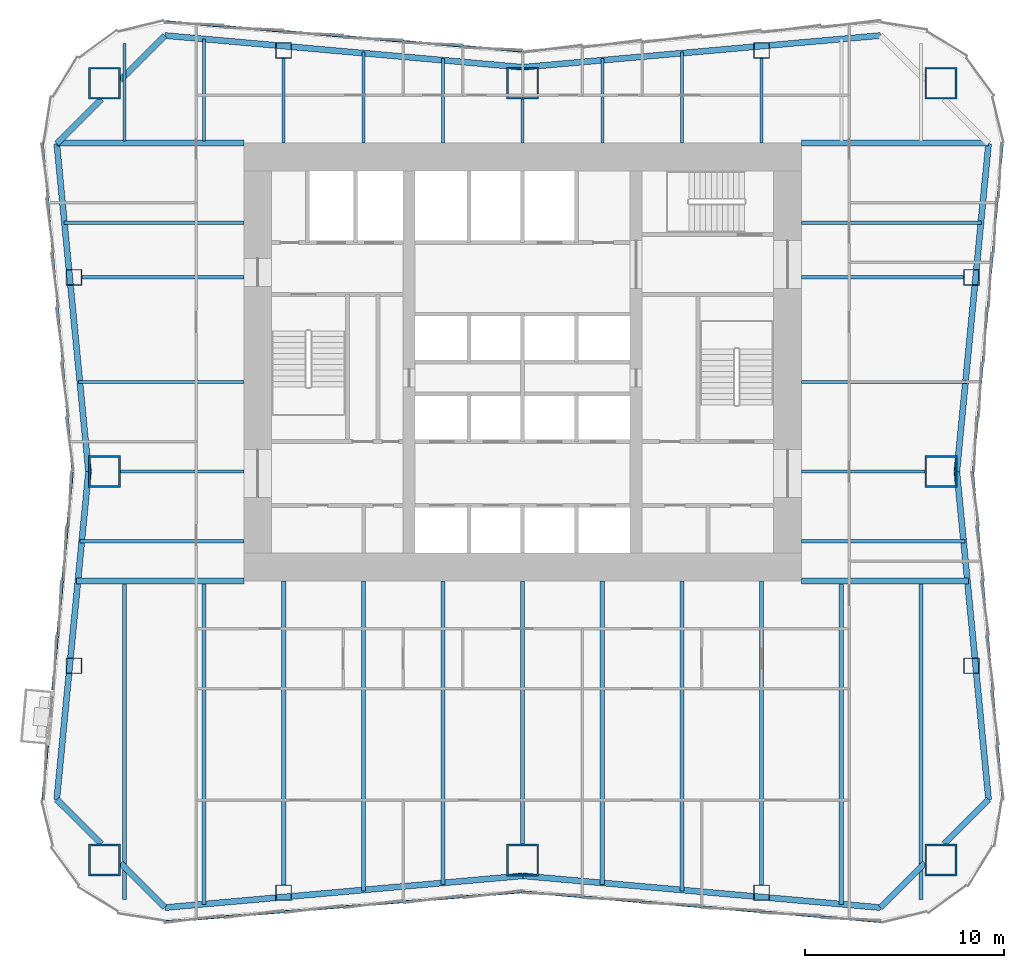
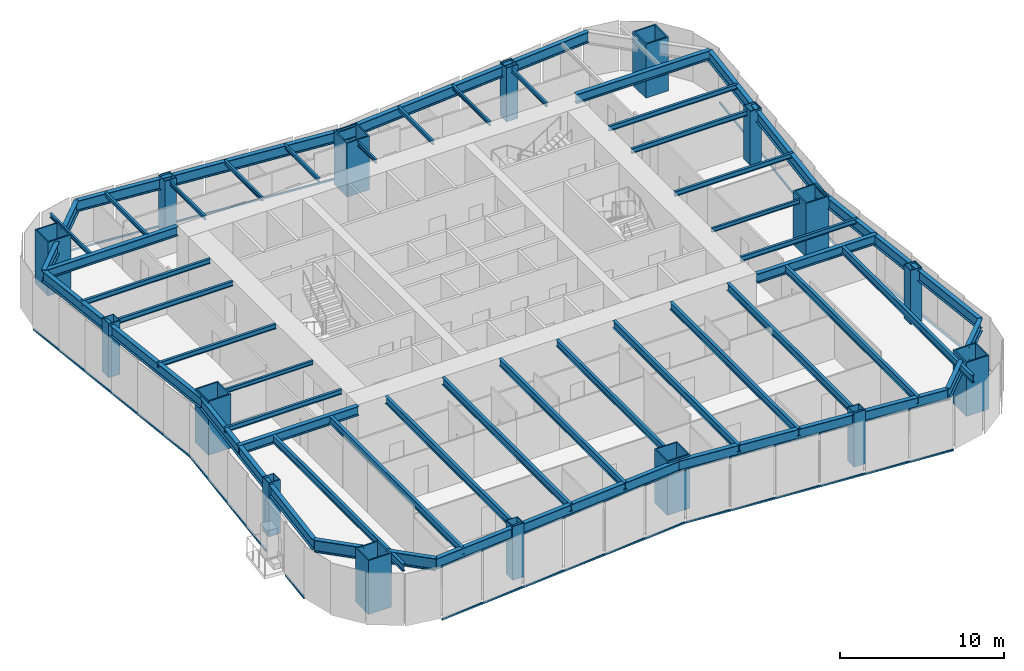
# One storey, part 1 of 9: 48 beams, 16 columns, 8 members, 4 elements without a shape of their own.
"""IFC4 building model written with IfcOpenShell, lengths in metres."""

from ifc_helpers import new_model, si_unit, direction, frame, origin, origin_2d, place, context, subcontext, project, spatial, rectangle, hollow_rectangle, i_section, extrude, material, material_profile, profile_set, type_object, element, aggregate, save


model = new_model("IFC4")

# Units and contexts
model_context = context("Model", 3, precision=1e-05, world=origin(), true_north=direction((0.0, 1.0)))
body_context = subcontext(model_context, "Body", "Model", "MODEL_VIEW")
ifc_project = project(units=[si_unit("LENGTHUNIT", "METRE"), si_unit("AREAUNIT", "SQUARE_METRE"), si_unit("VOLUMEUNIT", "CUBIC_METRE"), si_unit("PLANEANGLEUNIT", "RADIAN"), si_unit("MASSUNIT", "GRAM", prefix="KILO")], contexts=[model_context])

# Site, building, storey
site_placement = place(None, origin())
site = spatial("IfcSite", under=ifc_project, at=site_placement, CompositionType="ELEMENT")
building_placement = place(site_placement, origin())
building = spatial("IfcBuilding", under=site, at=building_placement, Name="Verdant Reach Tower", CompositionType="ELEMENT")
storey_placement = place(building_placement, frame((0.0, 0.0, 34.0)))
storey = spatial("IfcBuildingStorey", under=building, at=storey_placement, Name="L07", CompositionType="ELEMENT", Elevation=34.0)

# Columns
ifc_material_1 = material(Name="Steel S460", Category="steel")
ifc_material_profile_1 = material_profile(ifc_material_1, hollow_rectangle(XDim=1.60009765625, YDim=1.60009765625, WallThickness=0.090087890625, at=origin_2d()), Name="WB 1600x1600x90")
ifc_profile_set_1 = profile_set([ifc_material_profile_1], Name="Steel S460")
column_type_1 = type_object("IfcColumnType", Name="ST-COL-WB1600x1600x90", PredefinedType="COLUMN", material=ifc_profile_set_1)
for number, where, z_axis, x_axis, name in (
    (1, (-21.0, 42.0, 0.0), (0.0, 0.0, 1.0), (1.0, 0.0, 0.0), "Mega column north-west, L07"),
    (2, (0.0, 42.0, 0.0), (0.0, 0.0, 1.0), (1.0, 0.0, 0.0), "Mega column north, L07"),
    (3, (21.0, 42.0, 0.0), (0.0, 0.0, 1.0), (1.0, 0.0, 0.0), "Mega column north-east, L07"),
    (4, (21.0, 22.5, 0.0), (0.0, 0.0, 1.0), (1.0, 0.0, 0.0), "Mega column east, L07"),
    (5, (21.0, 3.0, 0.0), (0.0, 0.0, 1.0), (1.0, 0.0, 0.0), "Mega column south-east, L07"),
    (6, (0.0, 3.0, 0.0), (0.0, 0.0, 1.0), (1.0, 0.0, 0.0), "Mega column south, L07"),
    (7, (-21.0, 3.0, 0.0), (0.0, 0.0, 1.0), (1.0, 0.0, 0.0), "Mega column south-west, L07"),
    (8, (-21.0, 22.5, 0.0), (0.0, 0.0, 1.0), (1.0, 0.0, 0.0), "Mega column west, L07"),
):
    element("IfcColumn", number, at=place(storey_placement, frame(where, z_axis=z_axis, x_axis=x_axis)), inside=storey, type_object=column_type_1, Name=name, PredefinedType="COLUMN", context=body_context, shape_type="SweptSolid", body=[
        extrude(hollow_rectangle(XDim=1.60009765625, YDim=1.60009765625, WallThickness=0.090087890625, at=origin_2d()), origin(), (0.0, 0.0, 1.0), 4.0),
    ])
ifc_material_profile_2 = material_profile(ifc_material_1, hollow_rectangle(XDim=0.800048828125, YDim=0.800048828125, WallThickness=0.0400390625, at=origin_2d()), Name="WB 800x800x40")
ifc_profile_set_2 = profile_set([ifc_material_profile_2], Name="Steel S460")
column_type_2 = type_object("IfcColumnType", Name="ST-COL-WB800x800x40", PredefinedType="COLUMN", material=ifc_profile_set_2)
for number, where, z_axis, x_axis, name in (
    (9, (-12.0, 43.64990234375, 0.0), (0.0, 0.0, 1.0), (1.0, 0.0, 0.0), "Perimeter column north 1, L07"),
    (10, (12.0, 43.64990234375, 0.0), (0.0, 0.0, 1.0), (1.0, 0.0, 0.0), "Perimeter column north 2, L07"),
    (11, (-12.0, 1.35009765625, 0.0), (0.0, 0.0, 1.0), (1.0, 0.0, 0.0), "Perimeter column south 1, L07"),
    (12, (12.0, 1.35009765625, 0.0), (0.0, 0.0, 1.0), (1.0, 0.0, 0.0), "Perimeter column south 2, L07"),
    (13, (22.536376953125, 12.75, 0.0), (0.0, 0.0, 1.0), (1.0, 0.0, 0.0), "Perimeter column east 1, L07"),
    (14, (22.536376953125, 32.25, 0.0), (0.0, 0.0, 1.0), (1.0, 0.0, 0.0), "Perimeter column east 2, L07"),
    (15, (-22.536376953125, 12.75, 0.0), (0.0, 0.0, 1.0), (1.0, 0.0, 0.0), "Perimeter column west 1, L07"),
    (16, (-22.536376953125, 32.25, 0.0), (0.0, 0.0, 1.0), (1.0, 0.0, 0.0), "Perimeter column west 2, L07"),
):
    element("IfcColumn", number, at=place(storey_placement, frame(where, z_axis=z_axis, x_axis=x_axis)), inside=storey, type_object=column_type_2, Name=name, PredefinedType="COLUMN", context=body_context, shape_type="SweptSolid", body=[
        extrude(hollow_rectangle(XDim=0.800048828125, YDim=0.800048828125, WallThickness=0.0400390625, at=origin_2d()), origin(), (0.0, 0.0, 1.0), 4.0),
    ])

# Curtain wall, members
ifc_material_2 = material(Name="Anodised aluminium", Category="aluminium")
curtain_wall_type = type_object("IfcCurtainWallType", Name="EN-CW SYSTEM Z0", PredefinedType="NOTDEFINED", material=ifc_material_2)
curtain_wall_1_placement = place(storey_placement, origin())
curtain_wall_1 = element("IfcCurtainWall", 17, at=curtain_wall_1_placement, inside=storey, type_object=curtain_wall_type, Name="Curtain wall east, L07", PredefinedType="NOTDEFINED")
ifc_material_profile_3 = material_profile(ifc_material_2, rectangle(XDim=0.10009765625, YDim=0.1201171875, at=origin_2d()), Name="Transom 120x100")
ifc_profile_set_3 = profile_set([ifc_material_profile_3], Name="Anodised aluminium")
member_type = type_object("IfcMemberType", Name="EN-TRANSOM Z0", PredefinedType="USERDEFINED", material=ifc_profile_set_3)
member_1_placement = place(storey_placement, frame((24.09716796875, 6.024658203125, -0.2900390625), z_axis=(-0.090495755184, 0.995896841191, 0.0), x_axis=(-0.995896841191, -0.090495755184, 0.0)))
member_1 = element("IfcMember", 18, at=member_1_placement, type_object=member_type, Name="Transom east face part 1 1.1, L07", ObjectType="TRANSOM", PredefinedType="USERDEFINED", context=body_context, shape_type="SweptSolid", body=[
    extrude(rectangle(XDim=0.10009765625, YDim=0.1201171875, at=origin_2d()), origin(), (0.0, 0.0, 1.0), 16.513427734375),
])
member_2_placement = place(storey_placement, frame((22.602783203125, 22.52978515625, -0.2900390625), z_axis=(0.090495755184, 0.995896841191, 0.0), x_axis=(-0.995896841191, 0.090495755184, 0.0)))
member_2 = element("IfcMember", 19, at=member_2_placement, type_object=member_type, Name="Transom east face part 2 1.1, L07", ObjectType="TRANSOM", PredefinedType="USERDEFINED", context=body_context, shape_type="SweptSolid", body=[
    extrude(rectangle(XDim=0.10009765625, YDim=0.1201171875, at=origin_2d()), origin(), (0.0, 0.0, 1.0), 16.513427734375),
])
aggregate(curtain_wall_1, [member_1, member_2])

# Curtain wall, member
curtain_wall_2_placement = place(storey_placement, origin())
curtain_wall_2 = element("IfcCurtainWall", 20, at=curtain_wall_2_placement, inside=storey, type_object=curtain_wall_type, Name="Curtain wall north, L07", PredefinedType="NOTDEFINED")
member_3_placement = place(storey_placement, frame((-0.02978515625, 43.6025390625, -0.2900390625), z_axis=(-0.996548656072, 0.083010698588, 0.0), x_axis=(-0.083010698588, -0.996548656072, 0.0)))
member_3 = element("IfcMember", 21, at=member_3_placement, type_object=member_type, Name="Transom north face part 2 1.1, L07", ObjectType="TRANSOM", PredefinedType="USERDEFINED", context=body_context, shape_type="SweptSolid", body=[
    extrude(rectangle(XDim=0.10009765625, YDim=0.1201171875, at=origin_2d()), origin(), (0.0, 0.0, 1.0), 18.00830078125),
])
aggregate(curtain_wall_2, [member_3])

# Curtain wall, members
curtain_wall_3_placement = place(storey_placement, origin())
curtain_wall_3 = element("IfcCurtainWall", 22, at=curtain_wall_3_placement, inside=storey, type_object=curtain_wall_type, Name="Curtain wall west, L07", PredefinedType="NOTDEFINED")
member_4_placement = place(storey_placement, frame((-24.09716796875, 38.975341796875, -0.2900390625), z_axis=(0.090495755184, -0.995896841191, 0.0), x_axis=(0.995896841191, 0.090495755184, 0.0)))
member_4 = element("IfcMember", 23, at=member_4_placement, type_object=member_type, Name="Transom west face part 1 1.1, L07", ObjectType="TRANSOM", PredefinedType="USERDEFINED", context=body_context, shape_type="SweptSolid", body=[
    extrude(rectangle(XDim=0.10009765625, YDim=0.1201171875, at=origin_2d()), origin(), (0.0, 0.0, 1.0), 16.513427734375),
])
member_5_placement = place(storey_placement, frame((-22.602783203125, 22.47021484375, -0.2900390625), z_axis=(-0.090569838391, -0.995890106575, 0.0), x_axis=(0.995890106575, -0.090569838391, 0.0)))
member_5 = element("IfcMember", 24, at=member_5_placement, type_object=member_type, Name="Transom west face part 2 1.1, L07", ObjectType="TRANSOM", PredefinedType="USERDEFINED", context=body_context, shape_type="SweptSolid", body=[
    extrude(rectangle(XDim=0.10009765625, YDim=0.1201171875, at=origin_2d()), origin(), (0.0, 0.0, 1.0), 10.9765625),
])
member_6_placement = place(storey_placement, frame((-23.852294921875, 8.729248046875, -0.2900390625), z_axis=(-0.090170976609, -0.995926299973, 0.0), x_axis=(0.995926299973, -0.090170976609, 0.0)))
member_6 = element("IfcMember", 25, at=member_6_placement, type_object=member_type, Name="Transom west face part 2 2.1, L07", ObjectType="TRANSOM", PredefinedType="USERDEFINED", context=body_context, shape_type="SweptSolid", body=[
    extrude(rectangle(XDim=0.10009765625, YDim=0.1201171875, at=origin_2d()), origin(), (0.0, 0.0, 1.0), 2.715576171875),
])
aggregate(curtain_wall_3, [member_4, member_5, member_6])

curtain_wall_4_placement = place(storey_placement, origin())
curtain_wall_4 = element("IfcCurtainWall", 26, at=curtain_wall_4_placement, inside=storey, type_object=curtain_wall_type, Name="Curtain wall south, L07", PredefinedType="NOTDEFINED")
member_7_placement = place(storey_placement, frame((-17.975830078125, -0.097412109375, -0.2900390625), z_axis=(0.996548656072, 0.083010698588, 0.0), x_axis=(-0.083010698588, 0.996548656072, 0.0)))
member_7 = element("IfcMember", 27, at=member_7_placement, type_object=member_type, Name="Transom south face part 1 1.1, L07", ObjectType="TRANSOM", PredefinedType="USERDEFINED", context=body_context, shape_type="SweptSolid", body=[
    extrude(rectangle(XDim=0.10009765625, YDim=0.1201171875, at=origin_2d()), origin(), (0.0, 0.0, 1.0), 18.00830078125),
])
member_8_placement = place(storey_placement, frame((0.02978515625, 1.3974609375, -0.2900390625), z_axis=(0.996548656072, -0.083010698588, 0.0), x_axis=(0.083010698588, 0.996548656072, 0.0)))
member_8 = element("IfcMember", 28, at=member_8_placement, type_object=member_type, Name="Transom south face part 2 1.1, L07", ObjectType="TRANSOM", PredefinedType="USERDEFINED", context=body_context, shape_type="SweptSolid", body=[
    extrude(rectangle(XDim=0.10009765625, YDim=0.1201171875, at=origin_2d()), origin(), (0.0, 0.0, 1.0), 18.00830078125),
])
aggregate(curtain_wall_4, [member_7, member_8])

# Beams
ifc_material_3 = material(Name="Steel S355", Category="steel")
ifc_material_profile_4 = material_profile(ifc_material_3, i_section(OverallWidth=0.300048828125, OverallDepth=0.699951171875, WebThickness=0.01708984375, FlangeThickness=0.031982421875, FilletRadius=0.027099609375, at=origin_2d()), Name="HEB 700")
ifc_profile_set_4 = profile_set([ifc_material_profile_4], Name="Steel S355")
beam_type_1 = type_object("IfcBeamType", Name="ST-BEAM-HEB700", PredefinedType="BEAM", material=ifc_profile_set_4)
for number, where, z_axis, x_axis, name in (
    (29, (14.0, 39.0, 3.52001953125), (1.0, 0.0, 0.0), (0.0, 1.0, 0.0), "Trimmer beam, L07"),
    (30, (-14.0, 39.0, 3.52001953125), (-1.0, 0.0, 0.0), (0.0, -1.0, 0.0), "Trimmer beam, L07"),
):
    element("IfcBeam", number, at=place(storey_placement, frame(where, z_axis=z_axis, x_axis=x_axis)), inside=storey, type_object=beam_type_1, Name=name, PredefinedType="BEAM", context=body_context, shape_type="SweptSolid", body=[
        extrude(i_section(OverallWidth=0.300048828125, OverallDepth=0.699951171875, WebThickness=0.01708984375, FlangeThickness=0.031982421875, FilletRadius=0.027099609375, at=origin_2d()), origin(), (0.0, 0.0, 1.0), 9.38818359375),
    ])
for number, where, z_axis, x_axis, name in (
    (31, (14.0, 17.0, 3.52001953125), (1.0, 0.0, 0.0), (0.0, 1.0, 0.0), "Trimmer beam, L07"),
    (32, (-14.0, 17.0, 3.52001953125), (-1.0, 0.0, 0.0), (0.0, -1.0, 0.0), "Trimmer beam, L07"),
):
    element("IfcBeam", number, at=place(storey_placement, frame(where, z_axis=z_axis, x_axis=x_axis)), inside=storey, type_object=beam_type_1, Name=name, PredefinedType="BEAM", context=body_context, shape_type="SweptSolid", body=[
        extrude(i_section(OverallWidth=0.300048828125, OverallDepth=0.699951171875, WebThickness=0.01708984375, FlangeThickness=0.031982421875, FilletRadius=0.027099609375, at=origin_2d()), origin(), (0.0, 0.0, 1.0), 8.3974609375),
    ])
ifc_material_profile_5 = material_profile(ifc_material_3, i_section(OverallWidth=0.14990234375, OverallDepth=0.300048828125, WebThickness=0.007080078125, FlangeThickness=0.0107421875, FilletRadius=0.014892578125, at=origin_2d()), Name="IPE 300")
ifc_profile_set_5 = profile_set([ifc_material_profile_5], Name="Steel S355")
beam_type_2 = type_object("IfcBeamType", Name="ST-JOIST-IPE300", PredefinedType="JOIST", material=ifc_profile_set_5)
beam_1_placement = place(storey_placement, frame((-20.0, 39.10009765625, 3.719970703125), z_axis=(0.0, 1.0, 0.0), x_axis=(-1.0, 0.0, 0.0)))
element("IfcBeam", 33, at=beam_1_placement, inside=storey, type_object=beam_type_2, Name="Floor joist, L07", PredefinedType="JOIST", context=body_context, shape_type="SweptSolid", body=[
    extrude(i_section(OverallWidth=0.14990234375, OverallDepth=0.300048828125, WebThickness=0.007080078125, FlangeThickness=0.0107421875, FilletRadius=0.014892578125, at=origin_2d()), origin(), (0.0, 0.0, 1.0), 4.890380859375),
])
beam_2_placement = place(storey_placement, frame((-16.0, 39.10009765625, 3.719970703125), z_axis=(0.0, 1.0, 0.0), x_axis=(-1.0, 0.0, 0.0)))
element("IfcBeam", 34, at=beam_2_placement, inside=storey, type_object=beam_type_2, Name="Floor joist, L07", PredefinedType="JOIST", context=body_context, shape_type="SweptSolid", body=[
    extrude(i_section(OverallWidth=0.14990234375, OverallDepth=0.300048828125, WebThickness=0.007080078125, FlangeThickness=0.0107421875, FilletRadius=0.014892578125, at=origin_2d()), origin(), (0.0, 0.0, 1.0), 5.131103515625),
])
beam_3_placement = place(storey_placement, frame((-12.0, 39.0, 3.719970703125), z_axis=(0.0, 1.0, 0.0), x_axis=(-1.0, 0.0, 0.0)))
element("IfcBeam", 35, at=beam_3_placement, inside=storey, type_object=beam_type_2, Name="Floor joist, L07", PredefinedType="JOIST", context=body_context, shape_type="SweptSolid", body=[
    extrude(i_section(OverallWidth=0.14990234375, OverallDepth=0.300048828125, WebThickness=0.007080078125, FlangeThickness=0.0107421875, FilletRadius=0.014892578125, at=origin_2d()), origin(), (0.0, 0.0, 1.0), 4.25),
])
beam_4_placement = place(storey_placement, frame((-8.0, 39.0, 3.719970703125), z_axis=(0.0, 1.0, 0.0), x_axis=(-1.0, 0.0, 0.0)))
element("IfcBeam", 36, at=beam_4_placement, inside=storey, type_object=beam_type_2, Name="Floor joist, L07", PredefinedType="JOIST", context=body_context, shape_type="SweptSolid", body=[
    extrude(i_section(OverallWidth=0.14990234375, OverallDepth=0.300048828125, WebThickness=0.007080078125, FlangeThickness=0.0107421875, FilletRadius=0.014892578125, at=origin_2d()), origin(), (0.0, 0.0, 1.0), 4.564697265625),
])
beam_5_placement = place(storey_placement, frame((-4.0, 39.0, 3.719970703125), z_axis=(0.0, 1.0, 0.0), x_axis=(-1.0, 0.0, 0.0)))
element("IfcBeam", 37, at=beam_5_placement, inside=storey, type_object=beam_type_2, Name="Floor joist, L07", PredefinedType="JOIST", context=body_context, shape_type="SweptSolid", body=[
    extrude(i_section(OverallWidth=0.14990234375, OverallDepth=0.300048828125, WebThickness=0.007080078125, FlangeThickness=0.0107421875, FilletRadius=0.014892578125, at=origin_2d()), origin(), (0.0, 0.0, 1.0), 4.231201171875),
])
beam_6_placement = place(storey_placement, frame((0.0, 39.0, 3.719970703125), z_axis=(0.0, 1.0, 0.0), x_axis=(-1.0, 0.0, 0.0)))
element("IfcBeam", 38, at=beam_6_placement, inside=storey, type_object=beam_type_2, Name="Floor joist, L07", PredefinedType="JOIST", context=body_context, shape_type="SweptSolid", body=[
    extrude(i_section(OverallWidth=0.14990234375, OverallDepth=0.300048828125, WebThickness=0.007080078125, FlangeThickness=0.0107421875, FilletRadius=0.014892578125, at=origin_2d()), origin(), (0.0, 0.0, 1.0), 2.199951171875),
])
beam_7_placement = place(storey_placement, frame((4.0, 39.0, 3.719970703125), z_axis=(0.0, 1.0, 0.0), x_axis=(-1.0, 0.0, 0.0)))
element("IfcBeam", 39, at=beam_7_placement, inside=storey, type_object=beam_type_2, Name="Floor joist, L07", PredefinedType="JOIST", context=body_context, shape_type="SweptSolid", body=[
    extrude(i_section(OverallWidth=0.14990234375, OverallDepth=0.300048828125, WebThickness=0.007080078125, FlangeThickness=0.0107421875, FilletRadius=0.014892578125, at=origin_2d()), origin(), (0.0, 0.0, 1.0), 4.231201171875),
])
beam_8_placement = place(storey_placement, frame((8.0, 39.0, 3.719970703125), z_axis=(0.0, 1.0, 0.0), x_axis=(-1.0, 0.0, 0.0)))
element("IfcBeam", 40, at=beam_8_placement, inside=storey, type_object=beam_type_2, Name="Floor joist, L07", PredefinedType="JOIST", context=body_context, shape_type="SweptSolid", body=[
    extrude(i_section(OverallWidth=0.14990234375, OverallDepth=0.300048828125, WebThickness=0.007080078125, FlangeThickness=0.0107421875, FilletRadius=0.014892578125, at=origin_2d()), origin(), (0.0, 0.0, 1.0), 4.564697265625),
])
beam_9_placement = place(storey_placement, frame((12.0, 39.0, 3.719970703125), z_axis=(0.0, 1.0, 0.0), x_axis=(-1.0, 0.0, 0.0)))
element("IfcBeam", 41, at=beam_9_placement, inside=storey, type_object=beam_type_2, Name="Floor joist, L07", PredefinedType="JOIST", context=body_context, shape_type="SweptSolid", body=[
    extrude(i_section(OverallWidth=0.14990234375, OverallDepth=0.300048828125, WebThickness=0.007080078125, FlangeThickness=0.0107421875, FilletRadius=0.014892578125, at=origin_2d()), origin(), (0.0, 0.0, 1.0), 4.25),
])
for number, where, z_axis, x_axis, name in (
    (42, (14.0, 22.5, 3.719970703125), (1.0, 0.0, 0.0), (0.0, 1.0, 0.0), "Floor joist, L07"),
    (43, (-14.0, 22.5, 3.719970703125), (-1.0, 0.0, 0.0), (0.0, -1.0, 0.0), "Floor joist, L07"),
):
    element("IfcBeam", number, at=place(storey_placement, frame(where, z_axis=z_axis, x_axis=x_axis)), inside=storey, type_object=beam_type_2, Name=name, PredefinedType="JOIST", context=body_context, shape_type="SweptSolid", body=[
        extrude(i_section(OverallWidth=0.14990234375, OverallDepth=0.300048828125, WebThickness=0.007080078125, FlangeThickness=0.0107421875, FilletRadius=0.014892578125, at=origin_2d()), origin(), (0.0, 0.0, 1.0), 6.199951171875),
    ])
ifc_material_profile_6 = material_profile(ifc_material_3, i_section(OverallWidth=0.169921875, OverallDepth=0.360107421875, WebThickness=0.008056640625, FlangeThickness=0.0126953125, FilletRadius=0.01806640625, at=origin_2d()), Name="IPE 360")
ifc_profile_set_6 = profile_set([ifc_material_profile_6], Name="Steel S355")
beam_type_3 = type_object("IfcBeamType", Name="ST-JOIST-IPE360", PredefinedType="JOIST", material=ifc_profile_set_6)
for number, where, z_axis, x_axis, name in (
    (44, (14.0, 19.0, 3.68994140625), (1.0, 0.0, 0.0), (0.0, 1.0, 0.0), "Floor joist, L07"),
    (45, (-14.0, 19.0, 3.68994140625), (-1.0, 0.0, 0.0), (0.0, -1.0, 0.0), "Floor joist, L07"),
):
    element("IfcBeam", number, at=place(storey_placement, frame(where, z_axis=z_axis, x_axis=x_axis)), inside=storey, type_object=beam_type_3, Name=name, PredefinedType="JOIST", context=body_context, shape_type="SweptSolid", body=[
        extrude(i_section(OverallWidth=0.169921875, OverallDepth=0.360107421875, WebThickness=0.008056640625, FlangeThickness=0.0126953125, FilletRadius=0.01806640625, at=origin_2d()), origin(), (0.0, 0.0, 1.0), 8.2158203125),
    ])
for number, where, z_axis, x_axis, name in (
    (46, (14.0, 27.0, 3.68994140625), (1.0, 0.0, 0.0), (0.0, 1.0, 0.0), "Floor joist, L07"),
    (47, (-14.0, 27.0, 3.68994140625), (-1.0, 0.0, 0.0), (0.0, -1.0, 0.0), "Floor joist, L07"),
):
    element("IfcBeam", number, at=place(storey_placement, frame(where, z_axis=z_axis, x_axis=x_axis)), inside=storey, type_object=beam_type_3, Name=name, PredefinedType="JOIST", context=body_context, shape_type="SweptSolid", body=[
        extrude(i_section(OverallWidth=0.169921875, OverallDepth=0.360107421875, WebThickness=0.008056640625, FlangeThickness=0.0126953125, FilletRadius=0.01806640625, at=origin_2d()), origin(), (0.0, 0.0, 1.0), 8.306640625),
    ])
for number, where, z_axis, x_axis, name in (
    (48, (14.0, 32.25, 3.68994140625), (1.0, 0.0, 0.0), (0.0, 1.0, 0.0), "Floor joist, L07"),
    (49, (-14.0, 32.25, 3.68994140625), (-1.0, 0.0, 0.0), (0.0, -1.0, 0.0), "Floor joist, L07"),
):
    element("IfcBeam", number, at=place(storey_placement, frame(where, z_axis=z_axis, x_axis=x_axis)), inside=storey, type_object=beam_type_3, Name=name, PredefinedType="JOIST", context=body_context, shape_type="SweptSolid", body=[
        extrude(i_section(OverallWidth=0.169921875, OverallDepth=0.360107421875, WebThickness=0.008056640625, FlangeThickness=0.0126953125, FilletRadius=0.01806640625, at=origin_2d()), origin(), (0.0, 0.0, 1.0), 8.136474609375),
    ])
for number, where, z_axis, x_axis, name in (
    (50, (14.0, 35.0, 3.68994140625), (1.0, 0.0, 0.0), (0.0, 1.0, 0.0), "Floor joist, L07"),
    (51, (-14.0, 35.0, 3.68994140625), (-1.0, 0.0, 0.0), (0.0, -1.0, 0.0), "Floor joist, L07"),
):
    element("IfcBeam", number, at=place(storey_placement, frame(where, z_axis=z_axis, x_axis=x_axis)), inside=storey, type_object=beam_type_3, Name=name, PredefinedType="JOIST", context=body_context, shape_type="SweptSolid", body=[
        extrude(i_section(OverallWidth=0.169921875, OverallDepth=0.360107421875, WebThickness=0.008056640625, FlangeThickness=0.0126953125, FilletRadius=0.01806640625, at=origin_2d()), origin(), (0.0, 0.0, 1.0), 9.033935546875),
    ])
ifc_material_profile_7 = material_profile(ifc_material_3, i_section(OverallWidth=0.199951171875, OverallDepth=0.5, WebThickness=0.01025390625, FlangeThickness=0.01611328125, FilletRadius=0.02099609375, at=origin_2d()), Name="IPE 500")
ifc_profile_set_7 = profile_set([ifc_material_profile_7], Name="Steel S355")
beam_type_4 = type_object("IfcBeamType", Name="ST-JOIST-IPE500", PredefinedType="JOIST", material=ifc_profile_set_7)
beam_10_placement = place(storey_placement, frame((0.0, 17.0, 3.6201171875), z_axis=(0.0, -1.0, 0.0), x_axis=(1.0, 0.0, 0.0)))
element("IfcBeam", 52, at=beam_10_placement, inside=storey, type_object=beam_type_4, Name="Floor joist, L07", PredefinedType="JOIST", context=body_context, shape_type="SweptSolid", body=[
    extrude(i_section(OverallWidth=0.199951171875, OverallDepth=0.5, WebThickness=0.01025390625, FlangeThickness=0.01611328125, FilletRadius=0.02099609375, at=origin_2d()), origin(), (0.0, 0.0, 1.0), 13.199951171875),
])
ifc_material_profile_8 = material_profile(ifc_material_3, i_section(OverallWidth=0.2099609375, OverallDepth=0.550048828125, WebThickness=0.010986328125, FlangeThickness=0.01708984375, FilletRadius=0.02392578125, at=origin_2d()), Name="IPE 550")
ifc_profile_set_8 = profile_set([ifc_material_profile_8], Name="Steel S355")
beam_type_5 = type_object("IfcBeamType", Name="ST-JOIST-IPE550", PredefinedType="JOIST", material=ifc_profile_set_8)
beam_11_placement = place(storey_placement, frame((-20.0, 16.89990234375, 3.594970703125), z_axis=(0.0, -1.0, 0.0), x_axis=(1.0, 0.0, 0.0)))
element("IfcBeam", 53, at=beam_11_placement, inside=storey, type_object=beam_type_5, Name="Floor joist, L07", PredefinedType="JOIST", context=body_context, shape_type="SweptSolid", body=[
    extrude(i_section(OverallWidth=0.2099609375, OverallDepth=0.550048828125, WebThickness=0.010986328125, FlangeThickness=0.01708984375, FilletRadius=0.02392578125, at=origin_2d()), origin(), (0.0, 0.0, 1.0), 15.890380859375),
])
beam_12_placement = place(storey_placement, frame((-16.0, 16.89990234375, 3.594970703125), z_axis=(0.0, -1.0, 0.0), x_axis=(1.0, 0.0, 0.0)))
element("IfcBeam", 54, at=beam_12_placement, inside=storey, type_object=beam_type_5, Name="Floor joist, L07", PredefinedType="JOIST", context=body_context, shape_type="SweptSolid", body=[
    extrude(i_section(OverallWidth=0.2099609375, OverallDepth=0.550048828125, WebThickness=0.010986328125, FlangeThickness=0.01708984375, FilletRadius=0.02392578125, at=origin_2d()), origin(), (0.0, 0.0, 1.0), 16.131103515625),
])
beam_13_placement = place(storey_placement, frame((-12.0, 17.0, 3.594970703125), z_axis=(0.0, -1.0, 0.0), x_axis=(1.0, 0.0, 0.0)))
element("IfcBeam", 55, at=beam_13_placement, inside=storey, type_object=beam_type_5, Name="Floor joist, L07", PredefinedType="JOIST", context=body_context, shape_type="SweptSolid", body=[
    extrude(i_section(OverallWidth=0.2099609375, OverallDepth=0.550048828125, WebThickness=0.010986328125, FlangeThickness=0.01708984375, FilletRadius=0.02392578125, at=origin_2d()), origin(), (0.0, 0.0, 1.0), 15.25),
])
beam_14_placement = place(storey_placement, frame((-8.0, 17.0, 3.594970703125), z_axis=(0.0, -1.0, 0.0), x_axis=(1.0, 0.0, 0.0)))
element("IfcBeam", 56, at=beam_14_placement, inside=storey, type_object=beam_type_5, Name="Floor joist, L07", PredefinedType="JOIST", context=body_context, shape_type="SweptSolid", body=[
    extrude(i_section(OverallWidth=0.2099609375, OverallDepth=0.550048828125, WebThickness=0.010986328125, FlangeThickness=0.01708984375, FilletRadius=0.02392578125, at=origin_2d()), origin(), (0.0, 0.0, 1.0), 15.564697265625),
])
for number, where, z_axis, x_axis, name in (
    (57, (-4.0, 17.0, 3.594970703125), (0.0, -1.0, 0.0), (1.0, 0.0, 0.0), "Floor joist, L07"),
    (58, (4.0, 17.0, 3.594970703125), (0.0, -1.0, 0.0), (1.0, 0.0, 0.0), "Floor joist, L07"),
):
    element("IfcBeam", number, at=place(storey_placement, frame(where, z_axis=z_axis, x_axis=x_axis)), inside=storey, type_object=beam_type_5, Name=name, PredefinedType="JOIST", context=body_context, shape_type="SweptSolid", body=[
        extrude(i_section(OverallWidth=0.2099609375, OverallDepth=0.550048828125, WebThickness=0.010986328125, FlangeThickness=0.01708984375, FilletRadius=0.02392578125, at=origin_2d()), origin(), (0.0, 0.0, 1.0), 15.231201171875),
    ])
beam_15_placement = place(storey_placement, frame((8.0, 17.0, 3.594970703125), z_axis=(0.0, -1.0, 0.0), x_axis=(1.0, 0.0, 0.0)))
element("IfcBeam", 59, at=beam_15_placement, inside=storey, type_object=beam_type_5, Name="Floor joist, L07", PredefinedType="JOIST", context=body_context, shape_type="SweptSolid", body=[
    extrude(i_section(OverallWidth=0.2099609375, OverallDepth=0.550048828125, WebThickness=0.010986328125, FlangeThickness=0.01708984375, FilletRadius=0.02392578125, at=origin_2d()), origin(), (0.0, 0.0, 1.0), 15.564697265625),
])
beam_16_placement = place(storey_placement, frame((12.0, 17.0, 3.594970703125), z_axis=(0.0, -1.0, 0.0), x_axis=(1.0, 0.0, 0.0)))
element("IfcBeam", 60, at=beam_16_placement, inside=storey, type_object=beam_type_5, Name="Floor joist, L07", PredefinedType="JOIST", context=body_context, shape_type="SweptSolid", body=[
    extrude(i_section(OverallWidth=0.2099609375, OverallDepth=0.550048828125, WebThickness=0.010986328125, FlangeThickness=0.01708984375, FilletRadius=0.02392578125, at=origin_2d()), origin(), (0.0, 0.0, 1.0), 15.25),
])
beam_17_placement = place(storey_placement, frame((16.0, 16.89990234375, 3.594970703125), z_axis=(0.0, -1.0, 0.0), x_axis=(1.0, 0.0, 0.0)))
element("IfcBeam", 61, at=beam_17_placement, inside=storey, type_object=beam_type_5, Name="Floor joist, L07", PredefinedType="JOIST", context=body_context, shape_type="SweptSolid", body=[
    extrude(i_section(OverallWidth=0.2099609375, OverallDepth=0.550048828125, WebThickness=0.010986328125, FlangeThickness=0.01708984375, FilletRadius=0.02392578125, at=origin_2d()), origin(), (0.0, 0.0, 1.0), 16.131103515625),
])
beam_18_placement = place(storey_placement, frame((20.0, 16.89990234375, 3.594970703125), z_axis=(0.0, -1.0, 0.0), x_axis=(1.0, 0.0, 0.0)))
element("IfcBeam", 62, at=beam_18_placement, inside=storey, type_object=beam_type_5, Name="Floor joist, L07", PredefinedType="JOIST", context=body_context, shape_type="SweptSolid", body=[
    extrude(i_section(OverallWidth=0.2099609375, OverallDepth=0.550048828125, WebThickness=0.010986328125, FlangeThickness=0.01708984375, FilletRadius=0.02392578125, at=origin_2d()), origin(), (0.0, 0.0, 1.0), 15.890380859375),
])
ifc_material_profile_9 = material_profile(ifc_material_3, i_section(OverallWidth=0.300048828125, OverallDepth=0.800048828125, WebThickness=0.017578125, FlangeThickness=0.032958984375, FilletRadius=0.030029296875, at=origin_2d()), Name="HEB 800")
ifc_profile_set_9 = profile_set([ifc_material_profile_9], Name="Steel S355")
beam_type_6 = type_object("IfcBeamType", Name="ST-SPANDREL-HEB800", PredefinedType="SPANDREL", material=ifc_profile_set_9)
for number, where, z_axis, x_axis, name in (
    (63, (17.9658203125, 0.60498046875, 3.469970703125), (-0.996082370463, 0.088430262084, 0.0), (-0.088430262084, -0.996082370463, 0.0), "Edge beam, L07"),
    (64, (0.0, 2.199951171875, 3.469970703125), (-0.996082370463, -0.088430262084, 0.0), (0.088430262084, -0.996082370463, 0.0), "Edge beam, L07"),
):
    element("IfcBeam", number, at=place(storey_placement, frame(where, z_axis=z_axis, x_axis=x_axis)), inside=storey, type_object=beam_type_6, Name=name, PredefinedType="SPANDREL", context=body_context, shape_type="SweptSolid", body=[
        extrude(i_section(OverallWidth=0.300048828125, OverallDepth=0.800048828125, WebThickness=0.017578125, FlangeThickness=0.032958984375, FilletRadius=0.030029296875, at=origin_2d()), origin(), (0.0, 0.0, 1.0), 18.036376953125),
    ])
for number, where, z_axis, x_axis, name in (
    (65, (-23.39453125, 6.031982421875, 3.469970703125), (0.096372296695, 0.995345357366, 0.0), (-0.995345357366, 0.096372296695, 0.0), "Edge beam, L07"),
    (66, (-21.800048828125, 22.5, 3.469970703125), (-0.096372296695, 0.995345357366, 0.0), (-0.995345357366, -0.096372296695, 0.0), "Edge beam, L07"),
):
    element("IfcBeam", number, at=place(storey_placement, frame(where, z_axis=z_axis, x_axis=x_axis)), inside=storey, type_object=beam_type_6, Name=name, PredefinedType="SPANDREL", context=body_context, shape_type="SweptSolid", body=[
        extrude(i_section(OverallWidth=0.300048828125, OverallDepth=0.800048828125, WebThickness=0.017578125, FlangeThickness=0.032958984375, FilletRadius=0.030029296875, at=origin_2d()), origin(), (0.0, 0.0, 1.0), 16.544921875),
    ])
for number, where, z_axis, x_axis, name in (
    (67, (-17.9658203125, 44.39501953125, 3.469970703125), (0.996082370463, -0.088430262084, 0.0), (0.088430262084, 0.996082370463, 0.0), "Edge beam, L07"),
    (68, (0.0, 42.800048828125, 3.469970703125), (0.996082370463, 0.088430262084, 0.0), (-0.088430262084, 0.996082370463, 0.0), "Edge beam, L07"),
):
    element("IfcBeam", number, at=place(storey_placement, frame(where, z_axis=z_axis, x_axis=x_axis)), inside=storey, type_object=beam_type_6, Name=name, PredefinedType="SPANDREL", context=body_context, shape_type="SweptSolid", body=[
        extrude(i_section(OverallWidth=0.300048828125, OverallDepth=0.800048828125, WebThickness=0.017578125, FlangeThickness=0.032958984375, FilletRadius=0.030029296875, at=origin_2d()), origin(), (0.0, 0.0, 1.0), 18.036376953125),
    ])
for number, where, z_axis, x_axis, name in (
    (69, (23.39453125, 38.968017578125, 3.469970703125), (-0.096372296695, -0.995345357366, 0.0), (0.995345357366, -0.096372296695, 0.0), "Edge beam, L07"),
    (70, (21.800048828125, 22.5, 3.469970703125), (0.096372296695, -0.995345357366, 0.0), (0.995345357366, 0.096372296695, 0.0), "Edge beam, L07"),
):
    element("IfcBeam", number, at=place(storey_placement, frame(where, z_axis=z_axis, x_axis=x_axis)), inside=storey, type_object=beam_type_6, Name=name, PredefinedType="SPANDREL", context=body_context, shape_type="SweptSolid", body=[
        extrude(i_section(OverallWidth=0.300048828125, OverallDepth=0.800048828125, WebThickness=0.017578125, FlangeThickness=0.032958984375, FilletRadius=0.030029296875, at=origin_2d()), origin(), (0.0, 0.0, 1.0), 16.544921875),
    ])
ifc_material_profile_10 = material_profile(ifc_material_3, i_section(OverallWidth=0.302001953125, OverallDepth=0.909912109375, WebThickness=0.02099609375, FlangeThickness=0.0400390625, FilletRadius=0.030029296875, at=origin_2d()), Name="HEM 900")
ifc_profile_set_10 = profile_set([ifc_material_profile_10], Name="Steel S355")
beam_type_7 = type_object("IfcBeamType", Name="ST-SPANDREL-HEM900", PredefinedType="SPANDREL", material=ifc_profile_set_10)
beam_19_placement = place(storey_placement, frame((-17.9658203125, 0.60498046875, 3.4150390625), z_axis=(-0.707222697162, 0.706990846206, 0.0), x_axis=(-0.706990846206, -0.707222697162, 0.0)))
element("IfcBeam", 71, at=beam_19_placement, inside=storey, type_object=beam_type_7, Name="Edge beam, L07", PredefinedType="SPANDREL", context=body_context, shape_type="SweptSolid", body=[
    extrude(i_section(OverallWidth=0.302001953125, OverallDepth=0.909912109375, WebThickness=0.02099609375, FlangeThickness=0.0400390625, FilletRadius=0.030029296875, at=origin_2d()), origin(), (0.0, 0.0, 1.0), 3.158935546875),
])
for number, where, z_axis, x_axis, name in (
    (72, (-21.161865234375, 3.800048828125, 3.4150390625), (-0.70722277322, 0.706990770123, 0.0), (-0.706990770123, -0.70722277322, 0.0), "Edge beam, L07"),
    (73, (-23.39453125, 38.968017578125, 3.4150390625), (0.70722277322, 0.706990770123, 0.0), (-0.706990770123, 0.70722277322, 0.0), "Edge beam, L07"),
):
    element("IfcBeam", number, at=place(storey_placement, frame(where, z_axis=z_axis, x_axis=x_axis)), inside=storey, type_object=beam_type_7, Name=name, PredefinedType="SPANDREL", context=body_context, shape_type="SweptSolid", body=[
        extrude(i_section(OverallWidth=0.302001953125, OverallDepth=0.909912109375, WebThickness=0.02099609375, FlangeThickness=0.0400390625, FilletRadius=0.030029296875, at=origin_2d()), origin(), (0.0, 0.0, 1.0), 3.156982421875),
    ])
beam_20_placement = place(storey_placement, frame((-20.199951171875, 42.16162109375, 3.4150390625), z_axis=(0.707222697162, 0.706990846206, 0.0), x_axis=(-0.706990846206, 0.707222697162, 0.0)))
element("IfcBeam", 74, at=beam_20_placement, inside=storey, type_object=beam_type_7, Name="Edge beam, L07", PredefinedType="SPANDREL", context=body_context, shape_type="SweptSolid", body=[
    extrude(i_section(OverallWidth=0.302001953125, OverallDepth=0.909912109375, WebThickness=0.02099609375, FlangeThickness=0.0400390625, FilletRadius=0.030029296875, at=origin_2d()), origin(), (0.0, 0.0, 1.0), 3.158935546875),
])
beam_21_placement = place(storey_placement, frame((23.39453125, 6.031982421875, 3.4150390625), z_axis=(-0.70722277322, -0.706990770123, 0.0), x_axis=(0.706990770123, -0.70722277322, 0.0)))
element("IfcBeam", 75, at=beam_21_placement, inside=storey, type_object=beam_type_7, Name="Edge beam, L07", PredefinedType="SPANDREL", context=body_context, shape_type="SweptSolid", body=[
    extrude(i_section(OverallWidth=0.302001953125, OverallDepth=0.909912109375, WebThickness=0.02099609375, FlangeThickness=0.0400390625, FilletRadius=0.030029296875, at=origin_2d()), origin(), (0.0, 0.0, 1.0), 3.156982421875),
])
beam_22_placement = place(storey_placement, frame((20.199951171875, 2.83837890625, 3.4150390625), z_axis=(-0.707222697162, -0.706990846206, 0.0), x_axis=(0.706990846206, -0.707222697162, 0.0)))
element("IfcBeam", 76, at=beam_22_placement, inside=storey, type_object=beam_type_7, Name="Edge beam, L07", PredefinedType="SPANDREL", context=body_context, shape_type="SweptSolid", body=[
    extrude(i_section(OverallWidth=0.302001953125, OverallDepth=0.909912109375, WebThickness=0.02099609375, FlangeThickness=0.0400390625, FilletRadius=0.030029296875, at=origin_2d()), origin(), (0.0, 0.0, 1.0), 3.158935546875),
])

save(model, "model.ifc")
